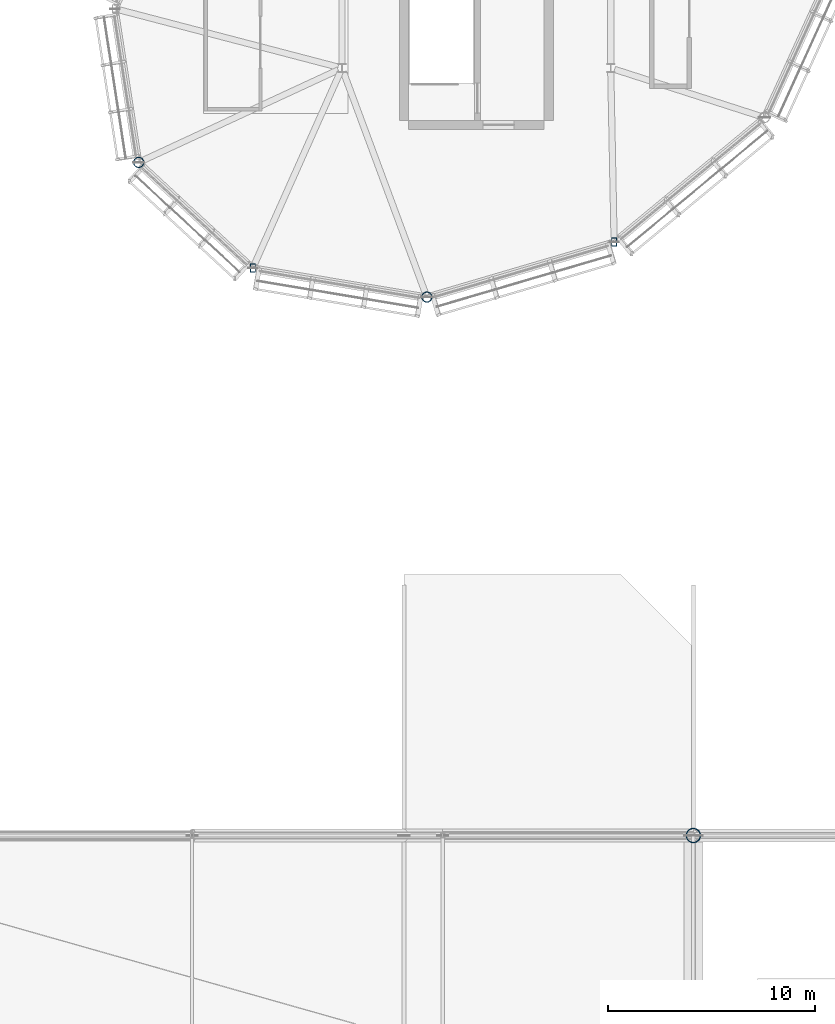
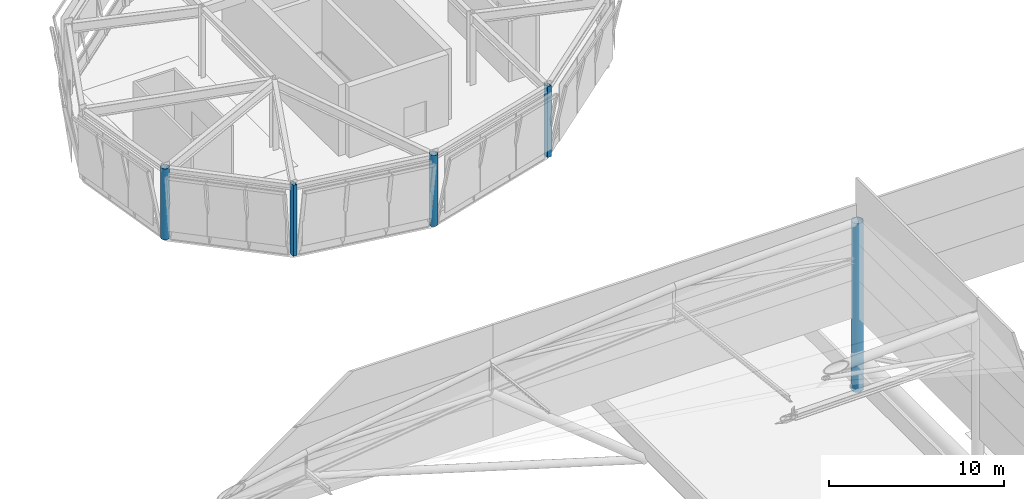
# One storey, part 8 of 113: 5 columns.
"""IFC4 building model written with IfcOpenShell, lengths in metres."""

from ifc_helpers import new_model, si_unit, direction, frame, origin, origin_2d, place, context, subcontext, project, spatial, hollow_rectangle, hollow_circle, extrude, material, material_profile, profile_set, type_object, element, save


model = new_model("IFC4")

# Units and contexts
model_context = context("Model", 3, precision=1e-05, world=origin(), true_north=direction((0.0, 1.0)))
body_context = subcontext(model_context, "Body", "Model", "MODEL_VIEW")
ifc_project = project(units=[si_unit("LENGTHUNIT", "METRE"), si_unit("AREAUNIT", "SQUARE_METRE"), si_unit("VOLUMEUNIT", "CUBIC_METRE"), si_unit("PLANEANGLEUNIT", "RADIAN"), si_unit("MASSUNIT", "GRAM", prefix="KILO")], contexts=[model_context])

# Site, building, storey
site_placement = place(None, origin())
site = spatial("IfcSite", under=ifc_project, at=site_placement, CompositionType="ELEMENT")
building_placement = place(site_placement, origin())
building = spatial("IfcBuilding", under=site, at=building_placement, Name="Linyun Crest Stadium", CompositionType="ELEMENT")
storey_placement = place(building_placement, frame((0.0, 0.0, 26.39990234375)))
storey = spatial("IfcBuildingStorey", under=building, at=storey_placement, Name="L06", CompositionType="ELEMENT", Elevation=26.39990234375)

# Columns
ifc_material_1 = material(Name="Steel Q420C", Category="steel")
ifc_material_profile_1 = material_profile(ifc_material_1, hollow_circle(Radius=0.35546875, WallThickness=0.031982421875, at=origin_2d()), Name="CHS 711x32")
ifc_profile_set_1 = profile_set([ifc_material_profile_1], Name="Steel Q420C")
column_type_1 = type_object("IfcColumnType", Name="MST02", PredefinedType="USERDEFINED", material=ifc_profile_set_1)
column_placement = place(storey_placement, frame((84.0, 43.375, -0.21484375), z_axis=(0.0, 0.0, 1.0), x_axis=(1.0, 0.0, 0.0)))
element("IfcColumn", 1, at=column_placement, inside=storey, type_object=column_type_1, Name="Roof mast MST02 V2 31", ObjectType="ROOF MAST", PredefinedType="USERDEFINED", context=body_context, shape_type="SweptSolid", body=[
    extrude(hollow_circle(Radius=0.35546875, WallThickness=0.031982421875, at=origin_2d()), origin(), (0.0, 0.0, 1.0), 11.764892578125),
])
ifc_material_2 = material(Name="Steel Q355C", Category="steel")
ifc_material_profile_2 = material_profile(ifc_material_2, hollow_circle(Radius=0.25390625, WallThickness=0.02490234375, at=origin_2d()), Name="CHS 508x25")
ifc_profile_set_2 = profile_set([ifc_material_profile_2], Name="Steel Q355C")
column_type_2 = type_object("IfcColumnType", Name="SC05", PredefinedType="COLUMN", material=ifc_profile_set_2)
for number, where, z_axis, x_axis, name in (
    (2, (57.1650390625, 75.93994140625, 0.0), (0.0, 0.0, 1.0), (1.0, 0.0, 0.0), "Pod perimeter column SC05 L06 1021"),
    (3, (71.10595703125, 69.424072265625, 0.0), (0.0, 0.0, 1.0), (1.0, 0.0, 0.0), "Pod perimeter column SC05 L06 1029"),
):
    element("IfcColumn", number, at=place(storey_placement, frame(where, z_axis=z_axis, x_axis=x_axis)), inside=storey, type_object=column_type_2, Name=name, PredefinedType="COLUMN", context=body_context, shape_type="SweptSolid", body=[
        extrude(hollow_circle(Radius=0.25390625, WallThickness=0.02490234375, at=origin_2d()), origin(), (0.0, 0.0, 1.0), 4.945068359375),
    ])
ifc_material_3 = material(Name="Steel Q355C", Category="steel")
ifc_material_profile_3 = material_profile(ifc_material_3, hollow_rectangle(XDim=0.25, YDim=0.39990234375, WallThickness=0.01611328125, at=origin_2d()), Name="RHS 400x250x16")
ifc_profile_set_3 = profile_set([ifc_material_profile_3], Name="Steel Q355C")
column_type_3 = type_object("IfcColumnType", Name="SC06", PredefinedType="COLUMN", material=ifc_profile_set_3)
for number, where, z_axis, x_axis, name in (
    (4, (62.68701171875, 70.833984375, 0.0), (0.0, 0.0, 1.0), (1.0, 0.0, 0.0), "Pod perimeter column SC06 L06 1025"),
    (5, (80.166015625, 72.0869140625, 0.0), (0.0, 0.0, 1.0), (1.0, 0.0, 0.0), "Pod perimeter column SC06 L06 1033"),
):
    element("IfcColumn", number, at=place(storey_placement, frame(where, z_axis=z_axis, x_axis=x_axis)), inside=storey, type_object=column_type_3, Name=name, PredefinedType="COLUMN", context=body_context, shape_type="SweptSolid", body=[
        extrude(hollow_rectangle(XDim=0.25, YDim=0.39990234375, WallThickness=0.01611328125, at=origin_2d()), origin(), (0.0, 0.0, 1.0), 4.945068359375),
    ])

save(model, "model.ifc")
